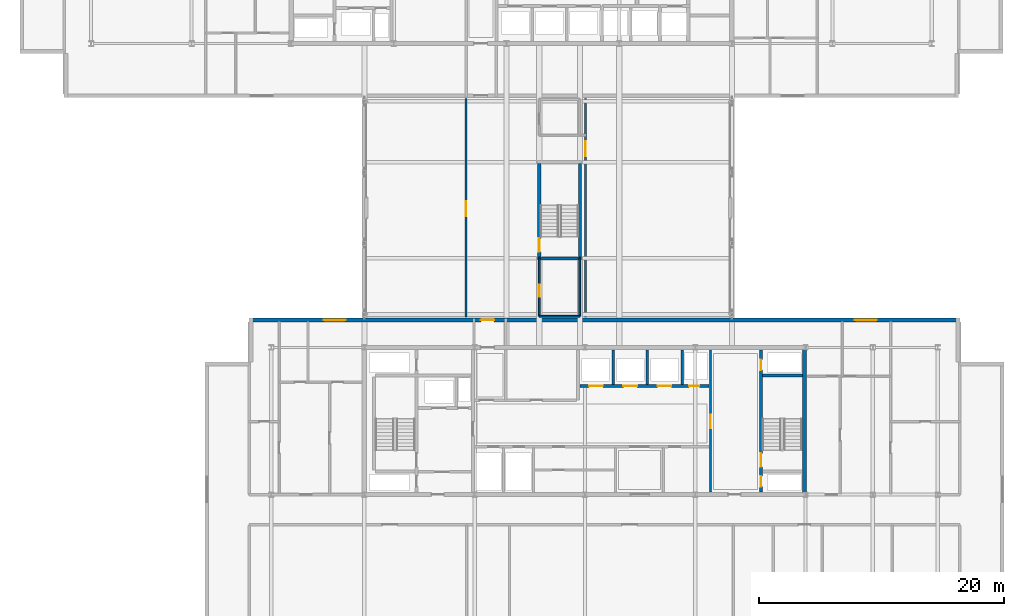
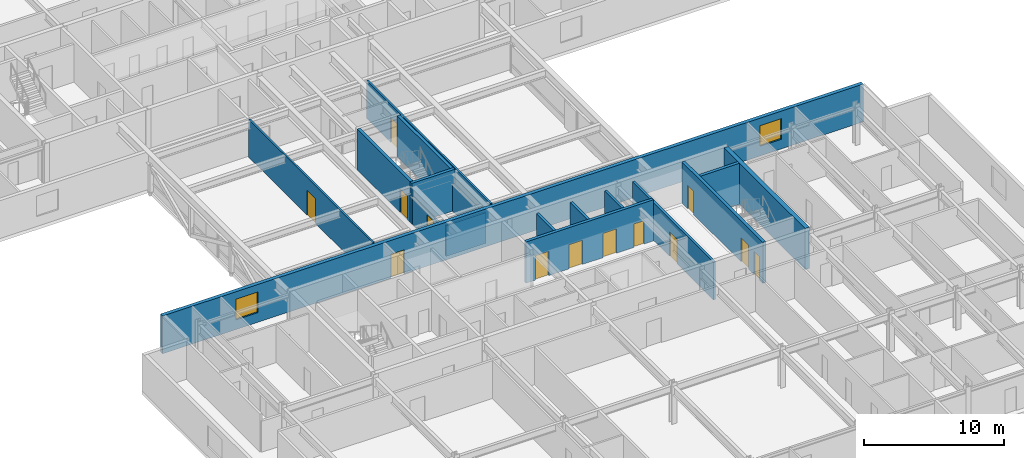
# One storey, part 20 of 35: 17 walls, 13 doors, 2 windows, 15 openings.
"""IFC4 building model written with IfcOpenShell, lengths in metres."""

from ifc_helpers import new_model, si_unit, direction, frame, frame_2d, origin, place, context, subcontext, project, spatial, rectangle, extrude, material, layer, layer_set, type_object, element, fill, save


model = new_model("IFC4")

# Units and contexts
model_context = context("Model", 3, precision=1e-05, world=origin(), true_north=direction((0.0, 1.0)))
body_context = subcontext(model_context, "Body", "Model", "MODEL_VIEW")
ifc_project = project(units=[si_unit("LENGTHUNIT", "METRE"), si_unit("AREAUNIT", "SQUARE_METRE"), si_unit("VOLUMEUNIT", "CUBIC_METRE"), si_unit("PLANEANGLEUNIT", "RADIAN"), si_unit("MASSUNIT", "GRAM", prefix="KILO")], contexts=[model_context])

# Site, building, storey
site_placement = place(None, origin())
site = spatial("IfcSite", under=ifc_project, at=site_placement, CompositionType="ELEMENT")
building_placement = place(site_placement, origin())
building = spatial("IfcBuilding", under=site, at=building_placement, Name="Korimba Cascade Residences", CompositionType="ELEMENT")
storey_placement = place(building_placement, frame((0.0, 0.0, 150.10009765625)))
storey = spatial("IfcBuildingStorey", under=building, at=storey_placement, Name="L43", CompositionType="ELEMENT", Elevation=150.10009765625)

# Wall, openings, door, windows
ifc_material_1 = material(Name="Precast concrete C40/50", Category="concrete")
ifc_layer_1 = layer(ifc_material_1, 0.300048828125)
ifc_layer_set_1 = layer_set([ifc_layer_1], Name="Precast concrete C40/50")
wall_type_1 = type_object("IfcWallType", Name="EW-STONE-300", PredefinedType="STANDARD", material=ifc_layer_set_1)
wall_1_placement = place(storey_placement, frame((130.699951171875, 32.64990234375, 0.0), z_axis=(0.0, 0.0, 1.0), x_axis=(-1.0, 0.0, 0.0)))
wall_1 = element("IfcWall", 1, at=wall_1_placement, inside=storey, type_object=wall_type_1, Name="L43 T2 Perimeter Stone Wall E06", PredefinedType="STANDARD", context=body_context, shape_type="SweptSolid", body=[
    extrude(rectangle(XDim=58.0, YDim=0.300048828125, at=frame_2d((29.0, 0.0))), origin(), (0.0, 0.0, 1.0), 3.309814453125),
])
opening_1_placement = place(wall_1_placement, frame((50.125, 0.0, 0.85009765625)))
opening_1 = element("IfcOpeningElement", 2, at=opening_1_placement, cuts=wall_1, Name="Opening W-02", PredefinedType="OPENING", context=body_context, shape_type="SweptSolid", body=[
    extrude(rectangle(XDim=1.800048828125, YDim=1.800048828125, at=frame_2d((0.89990234375, 0.89990234375))), frame((0.0, 0.16015625, 0.0), z_axis=(0.0, -1.0, 0.0), x_axis=(1.0, 0.0, 0.0)), (0.0, 0.0, 1.0), 0.320068359375),
])
opening_2_placement = place(wall_1_placement, frame((6.77490234375, 0.0, 0.85009765625)))
opening_2 = element("IfcOpeningElement", 3, at=opening_2_placement, cuts=wall_1, Name="Opening W-02", PredefinedType="OPENING", context=body_context, shape_type="SweptSolid", body=[
    extrude(rectangle(XDim=1.800048828125, YDim=1.800048828125, at=frame_2d((0.89990234375, 0.89990234375))), frame((0.0, 0.16015625, 0.0), z_axis=(0.0, -1.0, 0.0), x_axis=(1.0, 0.0, 0.0)), (0.0, 0.0, 1.0), 0.320068359375),
])
opening_3_placement = place(wall_1_placement, frame((38.0, 0.0, 0.0)))
opening_3 = element("IfcOpeningElement", 4, at=opening_3_placement, cuts=wall_1, Name="Opening D-BF1", PredefinedType="OPENING", context=body_context, shape_type="SweptSolid", body=[
    extrude(rectangle(XDim=1.10009765625, YDim=2.10009765625, at=frame_2d((0.550048828125, 1.050048828125))), frame((0.0, 0.16015625, 0.0), z_axis=(0.0, -1.0, 0.0), x_axis=(1.0, 0.0, 0.0)), (0.0, 0.0, 1.0), 0.320068359375),
])
ifc_material_2 = material(Name="Fire-Rated Steel Skybridge Link Door", Category="steel")
door_type_1 = type_object("IfcDoorType", Name="DR-BRG-FD120", OperationType="NOTDEFINED", PredefinedType="DOOR", material=ifc_material_2)
door_1_placement = place(opening_3_placement, origin())
door_1 = element("IfcDoor", 5, at=door_1_placement, inside=storey, type_object=door_type_1, Name="L43 Skybridge to Tower 2 Fire Door", OperationType="SINGLE_SWING_RIGHT", OverallHeight=2.10009765625, OverallWidth=1.10009765625, PredefinedType="DOOR", context=body_context, shape_type="SweptSolid", body=[
    extrude(rectangle(XDim=1.10009765625, YDim=2.10009765625, at=frame_2d((0.550048828125, 1.050048828125))), frame((0.0, 0.02490234375, 0.0), z_axis=(0.0, -1.0, 0.0), x_axis=(1.0, 0.0, 0.0)), (0.0, 0.0, 1.0), 0.050048828125),
])
fill(opening_3, door_1)
ifc_material_3 = material(Name="Double-Glazed Aluminium Window", Category="aluminium")
window_type = type_object("IfcWindowType", Name="WIN-BED-1800", PartitioningType="SINGLE_PANEL", PredefinedType="WINDOW", material=ifc_material_3)
window_1_placement = place(opening_1_placement, origin())
window_1 = element("IfcWindow", 6, at=window_1_placement, inside=storey, type_object=window_type, Name="L43 T2 North Corner Bedroom Window 1", OverallHeight=1.800048828125, OverallWidth=1.800048828125, PartitioningType="SINGLE_PANEL", PredefinedType="WINDOW", context=body_context, shape_type="SweptSolid", body=[
    extrude(rectangle(XDim=1.800048828125, YDim=1.800048828125, at=frame_2d((0.89990234375, 0.89990234375))), frame((0.0, 0.030029296875, 0.0), z_axis=(0.0, -1.0, 0.0), x_axis=(1.0, 0.0, 0.0)), (0.0, 0.0, 1.0), 0.06005859375),
])
fill(opening_1, window_1)
window_2_placement = place(opening_2_placement, origin())
window_2 = element("IfcWindow", 7, at=window_2_placement, inside=storey, type_object=window_type, Name="L43 T2 North Corner Bedroom Window 2", OverallHeight=1.800048828125, OverallWidth=1.800048828125, PartitioningType="SINGLE_PANEL", PredefinedType="WINDOW", context=body_context, shape_type="SweptSolid", body=[
    extrude(rectangle(XDim=1.800048828125, YDim=1.800048828125, at=frame_2d((0.89990234375, 0.89990234375))), frame((0.0, 0.030029296875, 0.0), z_axis=(0.0, -1.0, 0.0), x_axis=(1.0, 0.0, 0.0)), (0.0, 0.0, 1.0), 0.06005859375),
])
fill(opening_2, window_2)

# Walls
ifc_material_4 = material(Name="Concrete C65/80", Category="concrete")
ifc_layer_2 = layer(ifc_material_4, 0.35009765625)
ifc_layer_set_2 = layer_set([ifc_layer_2], Name="Concrete C65/80")
wall_type_2 = type_object("IfcWallType", Name="WAL-CORE-350", PredefinedType="SHEAR", material=ifc_layer_set_2)
wall_2_placement = place(storey_placement, frame((118.014892578125, 18.574951171875, 0.0), z_axis=(0.0, 0.0, 1.0), x_axis=(0.0, 1.0, 0.0)))
element("IfcWall", 8, at=wall_2_placement, inside=storey, type_object=wall_type_2, Name="L43 Core Shear Wall CW-L43-T2-E", PredefinedType="SHEAR", context=body_context, shape_type="SweptSolid", body=[
    extrude(rectangle(XDim=11.650146484375, YDim=0.35009765625, at=frame_2d((5.8251953125, 0.0))), origin(), (0.0, 0.0, 1.0), 3.599853515625),
])
ifc_material_5 = material(Name="Insulated Acoustic Stud Partition", Category="gypsum")
ifc_layer_3 = layer(ifc_material_5, 0.14990234375)
ifc_layer_set_3 = layer_set([ifc_layer_3], Name="Insulated Acoustic Stud Partition")
wall_type_3 = type_object("IfcWallType", Name="WAL-PART-150", PredefinedType="PARTITIONING", material=ifc_layer_set_3)
wall_3_placement = place(storey_placement, frame((96.375, 32.949951171875, 0.0), z_axis=(0.0, 0.0, 1.0), x_axis=(1.0, 0.0, 0.0)))
element("IfcWall", 9, at=wall_3_placement, inside=storey, type_object=wall_type_3, Name="L43 Partition Wall WAL-L43-BRG-WCS1", PredefinedType="PARTITIONING", context=body_context, shape_type="SweptSolid", body=[
    extrude(rectangle(XDim=3.31005859375, YDim=0.14990234375, at=frame_2d((1.655029296875, 0.0))), origin(), (0.0, 0.0, 1.0), 2.689697265625),
])

# Wall, opening, door
wall_4_placement = place(storey_placement, frame((96.375, 32.949951171875, 0.0), z_axis=(0.0, 0.0, 1.0), x_axis=(0.0, 1.0, 0.0)))
wall_4 = element("IfcWall", 10, at=wall_4_placement, inside=storey, type_object=wall_type_3, Name="L43 Partition Wall WAL-L43-BRG-WCW1", PredefinedType="PARTITIONING", context=body_context, shape_type="SweptSolid", body=[
    extrude(rectangle(XDim=4.72509765625, YDim=0.14990234375, at=frame_2d((2.362548828125, 0.0))), origin(), (0.0, 0.0, 1.0), 2.388916015625),
])
opening_4_placement = place(wall_4_placement, frame((1.60009765625, 0.0, 0.0)))
opening_4 = element("IfcOpeningElement", 11, at=opening_4_placement, cuts=wall_4, Name="Opening D-AC1", PredefinedType="OPENING", context=body_context, shape_type="SweptSolid", body=[
    extrude(rectangle(XDim=0.9599609375, YDim=2.10009765625, at=frame_2d((0.47998046875, 1.050048828125))), frame((0.0, 0.0849609375, 0.0), z_axis=(0.0, -1.0, 0.0), x_axis=(1.0, 0.0, 0.0)), (0.0, 0.0, 1.0), 0.169921875),
])
ifc_material_6 = material(Name="Accessible Acoustic Timber WC Door", Category="wood")
door_type_2 = type_object("IfcDoorType", Name="DR-ACC-950", OperationType="NOTDEFINED", PredefinedType="DOOR", material=ifc_material_6)
door_2_placement = place(opening_4_placement, origin())
door_2 = element("IfcDoor", 12, at=door_2_placement, inside=storey, type_object=door_type_2, Name="L43 Skybridge Accessible WC Door", OperationType="SINGLE_SWING_RIGHT", OverallHeight=2.10009765625, OverallWidth=0.9599609375, PredefinedType="DOOR", context=body_context, shape_type="SweptSolid", body=[
    extrude(rectangle(XDim=0.9599609375, YDim=2.10009765625, at=frame_2d((0.47998046875, 1.050048828125))), frame((0.0, 0.02490234375, 0.0), z_axis=(0.0, -1.0, 0.0), x_axis=(1.0, 0.0, 0.0)), (0.0, 0.0, 1.0), 0.050048828125),
])
fill(opening_4, door_2)

# Wall
wall_5_placement = place(storey_placement, frame((99.68505859375, 32.949951171875, 0.0), z_axis=(0.0, 0.0, 1.0), x_axis=(0.0, 1.0, 0.0)))
element("IfcWall", 13, at=wall_5_placement, inside=storey, type_object=wall_type_3, Name="L43 Partition Wall WAL-L43-BRG-EE1", PredefinedType="PARTITIONING", context=body_context, shape_type="SweptSolid", body=[
    extrude(rectangle(XDim=4.72509765625, YDim=0.14990234375, at=frame_2d((2.362548828125, 0.0))), origin(), (0.0, 0.0, 1.0), 2.388916015625),
])

# Wall, opening, door
wall_6_placement = place(storey_placement, frame((90.39990234375, 32.89990234375, 0.0), z_axis=(0.0, 0.0, 1.0), x_axis=(0.0, 1.0, 0.0)))
wall_6 = element("IfcWall", 14, at=wall_6_placement, inside=storey, type_object=wall_type_3, Name="L43 Partition Wall WAL-L43-BRG-CORW", PredefinedType="PARTITIONING", context=body_context, shape_type="SweptSolid", body=[
    extrude(rectangle(XDim=17.800048828125, YDim=0.14990234375, at=frame_2d((8.89990234375, 0.0))), origin(), (0.0, 0.0, 1.0), 3.309814453125),
])
opening_5_placement = place(wall_6_placement, frame((8.199951171875, 0.0, 0.0)))
opening_5 = element("IfcOpeningElement", 15, at=opening_5_placement, cuts=wall_6, Name="Opening D-AM1", PredefinedType="OPENING", context=body_context, shape_type="SweptSolid", body=[
    extrude(rectangle(XDim=1.219970703125, YDim=2.179931640625, at=frame_2d((0.60986328125, 1.08984375))), frame((0.0, 0.0849609375, 0.0), z_axis=(0.0, -1.0, 0.0), x_axis=(1.0, 0.0, 0.0)), (0.0, 0.0, 1.0), 0.169921875),
])
ifc_material_7 = material(Name="Fire-Rated Glazed Timber Suite Door", Category="wood")
door_type_3 = type_object("IfcDoorType", Name="DR-FD60-1200", OperationType="NOTDEFINED", PredefinedType="DOOR", material=ifc_material_7)
door_3_placement = place(opening_5_placement, origin())
door_3 = element("IfcDoor", 16, at=door_3_placement, inside=storey, type_object=door_type_3, Name="L43 Skybridge West Wing Door", OperationType="SINGLE_SWING_RIGHT", OverallHeight=2.179931640625, OverallWidth=1.219970703125, PredefinedType="DOOR", context=body_context, shape_type="SweptSolid", body=[
    extrude(rectangle(XDim=1.219970703125, YDim=2.179931640625, at=frame_2d((0.60986328125, 1.08984375))), frame((0.0, 0.02490234375, 0.0), z_axis=(0.0, -1.0, 0.0), x_axis=(1.0, 0.0, 0.0)), (0.0, 0.0, 1.0), 0.050048828125),
])
fill(opening_5, door_3)

wall_7_placement = place(storey_placement, frame((100.14990234375, 32.89990234375, 0.0), z_axis=(0.0, 0.0, 1.0), x_axis=(0.0, 1.0, 0.0)))
wall_7 = element("IfcWall", 17, at=wall_7_placement, inside=storey, type_object=wall_type_3, Name="L43 Partition Wall WAL-L43-BRG-EE2", PredefinedType="PARTITIONING", context=body_context, shape_type="SweptSolid", body=[
    extrude(rectangle(XDim=17.800048828125, YDim=0.14990234375, at=frame_2d((8.89990234375, 0.0))), origin(), (0.0, 0.0, 1.0), 3.309814453125),
])
opening_6_placement = place(wall_7_placement, frame((13.10009765625, 0.0, 0.0)))
opening_6 = element("IfcOpeningElement", 18, at=opening_6_placement, cuts=wall_7, Name="Opening D-AM1", PredefinedType="OPENING", context=body_context, shape_type="SweptSolid", body=[
    extrude(rectangle(XDim=1.219970703125, YDim=2.179931640625, at=frame_2d((0.60986328125, 1.08984375))), frame((0.0, 0.0849609375, 0.0), z_axis=(0.0, -1.0, 0.0), x_axis=(1.0, 0.0, 0.0)), (0.0, 0.0, 1.0), 0.169921875),
])
door_4_placement = place(opening_6_placement, origin())
door_4 = element("IfcDoor", 19, at=door_4_placement, inside=storey, type_object=door_type_3, Name="L43 East Observation Gallery Door", OperationType="SINGLE_SWING_LEFT", OverallHeight=2.179931640625, OverallWidth=1.219970703125, PredefinedType="DOOR", context=body_context, shape_type="SweptSolid", body=[
    extrude(rectangle(XDim=1.219970703125, YDim=2.179931640625, at=frame_2d((0.60986328125, 1.08984375))), frame((0.0, 0.02490234375, 0.0), z_axis=(0.0, -1.0, 0.0), x_axis=(1.0, 0.0, 0.0)), (0.0, 0.0, 1.0), 0.050048828125),
])
fill(opening_6, door_4)

# Walls
ifc_material_8 = material(Name="Concrete C40/50", Category="concrete")
ifc_layer_4 = layer(ifc_material_8, 0.199951171875)
ifc_layer_set_4 = layer_set([ifc_layer_4], Name="Concrete C40/50")
wall_type_4 = type_object("IfcWallType", Name="WAL-PART-200", PredefinedType="PARTITIONING", material=ifc_layer_set_4)
for number, where, z_axis, x_axis, name in (
    (20, (102.39990234375, 27.3798828125, 0.0), (0.0, 0.0, 1.0), (0.0, 1.0, 0.0), "L43 Partition Wall CW-L43-T2-B2D1"),
    (21, (105.199951171875, 27.3798828125, 0.0), (0.0, 0.0, 1.0), (0.0, 1.0, 0.0), "L43 Partition Wall CW-L43-T2-B2D2"),
    (22, (108.050048828125, 27.3798828125, 0.0), (0.0, 0.0, 1.0), (0.0, 1.0, 0.0), "L43 Partition Wall CW-L43-T2-B2D3"),
):
    element("IfcWall", number, at=place(storey_placement, frame(where, z_axis=z_axis, x_axis=x_axis)), inside=storey, type_object=wall_type_4, Name=name, PredefinedType="PARTITIONING", context=body_context, shape_type="SweptSolid", body=[
        extrude(rectangle(XDim=2.820068359375, YDim=0.199951171875, at=frame_2d((1.41015625, 0.0))), origin(), (0.0, 0.0, 1.0), 3.309814453125),
    ])

# Wall, opening, door
wall_8_placement = place(storey_placement, frame((110.35009765625, 18.60009765625, 0.0), z_axis=(0.0, 0.0, 1.0), x_axis=(0.0, 1.0, 0.0)))
wall_8 = element("IfcWall", 23, at=wall_8_placement, inside=storey, type_object=wall_type_4, Name="L43 Partition Wall CW-L43-T2-LLEV", PredefinedType="PARTITIONING", context=body_context, shape_type="SweptSolid", body=[
    extrude(rectangle(XDim=11.599853515625, YDim=0.199951171875, at=frame_2d((5.7998046875, 0.0))), origin(), (0.0, 0.0, 1.0), 3.309814453125),
])
opening_7_placement = place(wall_8_placement, frame((5.199951171875, 0.0, 0.0)))
opening_7 = element("IfcOpeningElement", 24, at=opening_7_placement, cuts=wall_8, Name="Opening D-FD6", PredefinedType="OPENING", context=body_context, shape_type="SweptSolid", body=[
    extrude(rectangle(XDim=1.10009765625, YDim=2.14990234375, at=frame_2d((0.550048828125, 1.074951171875))), frame((0.0, 0.10986328125, 0.0), z_axis=(0.0, -1.0, 0.0), x_axis=(1.0, 0.0, 0.0)), (0.0, 0.0, 1.0), 0.219970703125),
])
ifc_material_9 = material(Name="Fire-Rated Timber Stair Lobby Door", Category="wood")
door_type_4 = type_object("IfcDoorType", Name="DR-FD90-1100", OperationType="NOTDEFINED", PredefinedType="DOOR", material=ifc_material_9)
door_5_placement = place(opening_7_placement, origin())
door_5 = element("IfcDoor", 25, at=door_5_placement, inside=storey, type_object=door_type_4, Name="L43 T2 Lift Lobby to East Stair Lobby Door", OperationType="SINGLE_SWING_RIGHT", OverallHeight=2.14990234375, OverallWidth=1.10009765625, PredefinedType="DOOR", context=body_context, shape_type="SweptSolid", body=[
    extrude(rectangle(XDim=1.10009765625, YDim=2.14990234375, at=frame_2d((0.550048828125, 1.074951171875))), frame((0.0, 0.02490234375, 0.0), z_axis=(0.0, -1.0, 0.0), x_axis=(1.0, 0.0, 0.0)), (0.0, 0.0, 1.0), 0.050048828125),
])
fill(opening_7, door_5)

# Wall, openings, doors
ifc_material_10 = material(Name="Concrete C50/60", Category="concrete")
ifc_layer_5 = layer(ifc_material_10, 0.25)
ifc_layer_set_5 = layer_set([ifc_layer_5], Name="Concrete C50/60")
wall_type_5 = type_object("IfcWallType", Name="WAL-SHAFT-250", PredefinedType="SHEAR", material=ifc_layer_set_5)
wall_9_placement = place(storey_placement, frame((99.679931640625, 27.25, 0.0), z_axis=(0.0, 0.0, 1.0), x_axis=(1.0, 0.0, 0.0)))
wall_9 = element("IfcWall", 26, at=wall_9_placement, inside=storey, type_object=wall_type_5, Name="L43 Core Shear Wall CW-L43-T2-B2S", PredefinedType="SHEAR", context=body_context, shape_type="SweptSolid", body=[
    extrude(rectangle(XDim=10.5400390625, YDim=0.25, at=frame_2d((5.27001953125, 0.0))), origin(), (0.0, 0.0, 1.0), 3.599853515625),
])
opening_8_placement = place(wall_9_placement, frame((0.760009765625, 0.0, 0.0)))
opening_8 = element("IfcOpeningElement", 27, at=opening_8_placement, cuts=wall_9, Name="Opening LD-01", PredefinedType="OPENING", context=body_context, shape_type="SweptSolid", body=[
    extrude(rectangle(XDim=1.1201171875, YDim=2.1201171875, at=frame_2d((0.56005859375, 1.06005859375))), frame((0.0, 0.135009765625, 0.0), z_axis=(0.0, -1.0, 0.0), x_axis=(1.0, 0.0, 0.0)), (0.0, 0.0, 1.0), 0.27001953125),
])
opening_9_placement = place(wall_9_placement, frame((3.56005859375, 0.0, 0.0)))
opening_9 = element("IfcOpeningElement", 28, at=opening_9_placement, cuts=wall_9, Name="Opening LD-01", PredefinedType="OPENING", context=body_context, shape_type="SweptSolid", body=[
    extrude(rectangle(XDim=1.1201171875, YDim=2.1201171875, at=frame_2d((0.56005859375, 1.06005859375))), frame((0.0, 0.135009765625, 0.0), z_axis=(0.0, -1.0, 0.0), x_axis=(1.0, 0.0, 0.0)), (0.0, 0.0, 1.0), 0.27001953125),
])
opening_10_placement = place(wall_9_placement, frame((6.360107421875, 0.0, 0.0)))
opening_10 = element("IfcOpeningElement", 29, at=opening_10_placement, cuts=wall_9, Name="Opening LD-01", PredefinedType="OPENING", context=body_context, shape_type="SweptSolid", body=[
    extrude(rectangle(XDim=1.1201171875, YDim=2.1201171875, at=frame_2d((0.56005859375, 1.06005859375))), frame((0.0, 0.135009765625, 0.0), z_axis=(0.0, -1.0, 0.0), x_axis=(1.0, 0.0, 0.0)), (0.0, 0.0, 1.0), 0.27001953125),
])
opening_11_placement = place(wall_9_placement, frame((8.919921875, 0.0, 0.0)))
opening_11 = element("IfcOpeningElement", 30, at=opening_11_placement, cuts=wall_9, Name="Opening D-RS1", PredefinedType="OPENING", context=body_context, shape_type="SweptSolid", body=[
    extrude(rectangle(XDim=0.85009765625, YDim=2.050048828125, at=frame_2d((0.425048828125, 1.02490234375))), frame((0.0, 0.135009765625, 0.0), z_axis=(0.0, -1.0, 0.0), x_axis=(1.0, 0.0, 0.0)), (0.0, 0.0, 1.0), 0.27001953125),
])
ifc_material_11 = material(Name="Fire-Rated Steel Riser Access Door", Category="steel")
door_type_5 = type_object("IfcDoorType", Name="DR-FD60-850", OperationType="NOTDEFINED", PredefinedType="DOOR", material=ifc_material_11)
door_6_placement = place(opening_11_placement, origin())
door_6 = element("IfcDoor", 31, at=door_6_placement, inside=storey, type_object=door_type_5, Name="L43 T2 Duct Door", OperationType="SINGLE_SWING_RIGHT", OverallHeight=2.050048828125, OverallWidth=0.85009765625, PredefinedType="DOOR", context=body_context, shape_type="SweptSolid", body=[
    extrude(rectangle(XDim=0.85009765625, YDim=2.050048828125, at=frame_2d((0.425048828125, 1.02490234375))), frame((0.0, 0.02490234375, 0.0), z_axis=(0.0, -1.0, 0.0), x_axis=(1.0, 0.0, 0.0)), (0.0, 0.0, 1.0), 0.050048828125),
])
fill(opening_11, door_6)
ifc_material_12 = material(Name="Stainless Steel Lift Landing Sliding Door", Category="steel")
door_type_6 = type_object("IfcDoorType", Name="DR-LIFT-1100", OperationType="NOTDEFINED", PredefinedType="DOOR", material=ifc_material_12)
door_7_placement = place(opening_8_placement, origin())
door_7 = element("IfcDoor", 32, at=door_7_placement, inside=storey, type_object=door_type_6, Name="L43 Lift Landing Door PL-E4", OperationType="SLIDING_TO_RIGHT", OverallHeight=2.1201171875, OverallWidth=1.1201171875, PredefinedType="DOOR", context=body_context, shape_type="SweptSolid", body=[
    extrude(rectangle(XDim=1.1201171875, YDim=2.1201171875, at=frame_2d((0.56005859375, 1.06005859375))), frame((0.0, 0.02490234375, 0.0), z_axis=(0.0, -1.0, 0.0), x_axis=(1.0, 0.0, 0.0)), (0.0, 0.0, 1.0), 0.050048828125),
])
fill(opening_8, door_7)
door_8_placement = place(opening_9_placement, origin())
door_8 = element("IfcDoor", 33, at=door_8_placement, inside=storey, type_object=door_type_6, Name="L43 Lift Landing Door PL-E5", OperationType="SLIDING_TO_RIGHT", OverallHeight=2.1201171875, OverallWidth=1.1201171875, PredefinedType="DOOR", context=body_context, shape_type="SweptSolid", body=[
    extrude(rectangle(XDim=1.1201171875, YDim=2.1201171875, at=frame_2d((0.56005859375, 1.06005859375))), frame((0.0, 0.02490234375, 0.0), z_axis=(0.0, -1.0, 0.0), x_axis=(1.0, 0.0, 0.0)), (0.0, 0.0, 1.0), 0.050048828125),
])
fill(opening_9, door_8)
door_9_placement = place(opening_10_placement, origin())
door_9 = element("IfcDoor", 34, at=door_9_placement, inside=storey, type_object=door_type_6, Name="L43 Lift Landing Door PL-E6", OperationType="SLIDING_TO_RIGHT", OverallHeight=2.1201171875, OverallWidth=1.1201171875, PredefinedType="DOOR", context=body_context, shape_type="SweptSolid", body=[
    extrude(rectangle(XDim=1.1201171875, YDim=2.1201171875, at=frame_2d((0.56005859375, 1.06005859375))), frame((0.0, 0.02490234375, 0.0), z_axis=(0.0, -1.0, 0.0), x_axis=(1.0, 0.0, 0.0)), (0.0, 0.0, 1.0), 0.050048828125),
])
fill(opening_10, door_9)

wall_10_placement = place(storey_placement, frame((114.47509765625, 18.60009765625, 0.0), z_axis=(0.0, 0.0, 1.0), x_axis=(0.0, 1.0, 0.0)))
wall_10 = element("IfcWall", 35, at=wall_10_placement, inside=storey, type_object=wall_type_5, Name="L43 Core Shear Wall CW-L43-T2-STE2W", PredefinedType="SHEAR", context=body_context, shape_type="SweptSolid", body=[
    extrude(rectangle(XDim=11.599853515625, YDim=0.25, at=frame_2d((5.7998046875, 0.0))), origin(), (0.0, 0.0, 1.0), 3.599853515625),
])
opening_12_placement = place(wall_10_placement, frame((0.449951171875, 0.0, 0.0)))
opening_12 = element("IfcOpeningElement", 36, at=opening_12_placement, cuts=wall_10, Name="Opening D-RS1", PredefinedType="OPENING", context=body_context, shape_type="SweptSolid", body=[
    extrude(rectangle(XDim=0.85009765625, YDim=2.050048828125, at=frame_2d((0.425048828125, 1.02490234375))), frame((0.0, 0.135009765625, 0.0), z_axis=(0.0, -1.0, 0.0), x_axis=(1.0, 0.0, 0.0)), (0.0, 0.0, 1.0), 0.27001953125),
])
opening_13_placement = place(wall_10_placement, frame((2.050048828125, 0.0, 0.0)))
opening_13 = element("IfcOpeningElement", 37, at=opening_13_placement, cuts=wall_10, Name="Opening D-FD1", PredefinedType="OPENING", context=body_context, shape_type="SweptSolid", body=[
    extrude(rectangle(XDim=1.10009765625, YDim=2.10009765625, at=frame_2d((0.550048828125, 1.050048828125))), frame((0.0, 0.135009765625, 0.0), z_axis=(0.0, -1.0, 0.0), x_axis=(1.0, 0.0, 0.0)), (0.0, 0.0, 1.0), 0.27001953125),
])
opening_14_placement = place(wall_10_placement, frame((9.949951171875, 0.0, 0.0)))
opening_14 = element("IfcOpeningElement", 38, at=opening_14_placement, cuts=wall_10, Name="Opening D-RS1", PredefinedType="OPENING", context=body_context, shape_type="SweptSolid", body=[
    extrude(rectangle(XDim=0.85009765625, YDim=2.050048828125, at=frame_2d((0.425048828125, 1.02490234375))), frame((0.0, 0.135009765625, 0.0), z_axis=(0.0, -1.0, 0.0), x_axis=(1.0, 0.0, 0.0)), (0.0, 0.0, 1.0), 0.27001953125),
])
ifc_material_13 = material(Name="Fire-Rated Steel Core Door", Category="steel")
door_type_7 = type_object("IfcDoorType", Name="DR-FD120-1100", OperationType="NOTDEFINED", PredefinedType="DOOR", material=ifc_material_13)
door_10_placement = place(opening_13_placement, origin())
door_10 = element("IfcDoor", 39, at=door_10_placement, inside=storey, type_object=door_type_7, Name="L43 Fire Stair ST-E2 Door", OperationType="SINGLE_SWING_RIGHT", OverallHeight=2.10009765625, OverallWidth=1.10009765625, PredefinedType="DOOR", context=body_context, shape_type="SweptSolid", body=[
    extrude(rectangle(XDim=1.10009765625, YDim=2.10009765625, at=frame_2d((0.550048828125, 1.050048828125))), frame((0.0, 0.02490234375, 0.0), z_axis=(0.0, -1.0, 0.0), x_axis=(1.0, 0.0, 0.0)), (0.0, 0.0, 1.0), 0.050048828125),
])
fill(opening_13, door_10)
door_11_placement = place(opening_12_placement, origin())
door_11 = element("IfcDoor", 40, at=door_11_placement, inside=storey, type_object=door_type_5, Name="L43 T2 East Hydrant Door", OperationType="SINGLE_SWING_LEFT", OverallHeight=2.050048828125, OverallWidth=0.85009765625, PredefinedType="DOOR", context=body_context, shape_type="SweptSolid", body=[
    extrude(rectangle(XDim=0.85009765625, YDim=2.050048828125, at=frame_2d((0.425048828125, 1.02490234375))), frame((0.0, 0.02490234375, 0.0), z_axis=(0.0, -1.0, 0.0), x_axis=(1.0, 0.0, 0.0)), (0.0, 0.0, 1.0), 0.050048828125),
])
fill(opening_12, door_11)
door_12_placement = place(opening_14_placement, origin())
door_12 = element("IfcDoor", 41, at=door_12_placement, inside=storey, type_object=door_type_5, Name="L43 T2 East Riser Door", OperationType="SINGLE_SWING_LEFT", OverallHeight=2.050048828125, OverallWidth=0.85009765625, PredefinedType="DOOR", context=body_context, shape_type="SweptSolid", body=[
    extrude(rectangle(XDim=0.85009765625, YDim=2.050048828125, at=frame_2d((0.425048828125, 1.02490234375))), frame((0.0, 0.02490234375, 0.0), z_axis=(0.0, -1.0, 0.0), x_axis=(1.0, 0.0, 0.0)), (0.0, 0.0, 1.0), 0.050048828125),
])
fill(opening_14, door_12)

# Wall
wall_11_placement = place(storey_placement, frame((114.60009765625, 28.125, 0.0), z_axis=(0.0, 0.0, 1.0), x_axis=(1.0, 0.0, 0.0)))
element("IfcWall", 42, at=wall_11_placement, inside=storey, type_object=wall_type_5, Name="L43 Core Shear Wall CW-L43-T2-STE2N", PredefinedType="SHEAR", context=body_context, shape_type="SweptSolid", body=[
    extrude(rectangle(XDim=3.239990234375, YDim=0.25, at=frame_2d((1.6201171875, 0.0))), origin(), (0.0, 0.0, 1.0), 3.599853515625),
])

# Wall, opening, door
wall_12_placement = place(storey_placement, frame((96.375, 37.800048828125, 0.0), z_axis=(0.0, 0.0, 1.0), x_axis=(0.0, 1.0, 0.0)))
wall_12 = element("IfcWall", 43, at=wall_12_placement, inside=storey, type_object=wall_type_5, Name="L43 Core Shear Wall CW-L43-STBR1W", PredefinedType="SHEAR", context=body_context, shape_type="SweptSolid", body=[
    extrude(rectangle(XDim=7.599853515625, YDim=0.25, at=frame_2d((3.7998046875, 0.0))), origin(), (0.0, 0.0, 1.0), 3.599853515625),
])
opening_15_placement = place(wall_12_placement, frame((0.39990234375, 0.0, 0.0)))
opening_15 = element("IfcOpeningElement", 44, at=opening_15_placement, cuts=wall_12, Name="Opening D-FD1", PredefinedType="OPENING", context=body_context, shape_type="SweptSolid", body=[
    extrude(rectangle(XDim=1.10009765625, YDim=2.10009765625, at=frame_2d((0.550048828125, 1.050048828125))), frame((0.0, 0.135009765625, 0.0), z_axis=(0.0, -1.0, 0.0), x_axis=(1.0, 0.0, 0.0)), (0.0, 0.0, 1.0), 0.27001953125),
])
door_13_placement = place(opening_15_placement, origin())
door_13 = element("IfcDoor", 45, at=door_13_placement, inside=storey, type_object=door_type_7, Name="L43 Skybridge Stair Door", OperationType="SINGLE_SWING_LEFT", OverallHeight=2.10009765625, OverallWidth=1.10009765625, PredefinedType="DOOR", context=body_context, shape_type="SweptSolid", body=[
    extrude(rectangle(XDim=1.10009765625, YDim=2.10009765625, at=frame_2d((0.550048828125, 1.050048828125))), frame((0.0, 0.02490234375, 0.0), z_axis=(0.0, -1.0, 0.0), x_axis=(1.0, 0.0, 0.0)), (0.0, 0.0, 1.0), 0.050048828125),
])
fill(opening_15, door_13)

# Walls
wall_13_placement = place(storey_placement, frame((99.68505859375, 37.800048828125, 0.0), z_axis=(0.0, 0.0, 1.0), x_axis=(0.0, 1.0, 0.0)))
element("IfcWall", 46, at=wall_13_placement, inside=storey, type_object=wall_type_5, Name="L43 Core Shear Wall CW-L43-STBR1E", PredefinedType="SHEAR", context=body_context, shape_type="SweptSolid", body=[
    extrude(rectangle(XDim=7.599853515625, YDim=0.25, at=frame_2d((3.7998046875, 0.0))), origin(), (0.0, 0.0, 1.0), 3.599853515625),
])
wall_14_placement = place(storey_placement, frame((96.25, 37.675048828125, 0.0), z_axis=(0.0, 0.0, 1.0), x_axis=(1.0, 0.0, 0.0)))
element("IfcWall", 47, at=wall_14_placement, inside=storey, type_object=wall_type_5, Name="L43 Core Shear Wall CW-L43-STBR1S", PredefinedType="SHEAR", context=body_context, shape_type="SweptSolid", body=[
    extrude(rectangle(XDim=3.56005859375, YDim=0.25, at=frame_2d((1.780029296875, 0.0))), origin(), (0.0, 0.0, 1.0), 3.599853515625),
])

save(model, "model.ifc")
